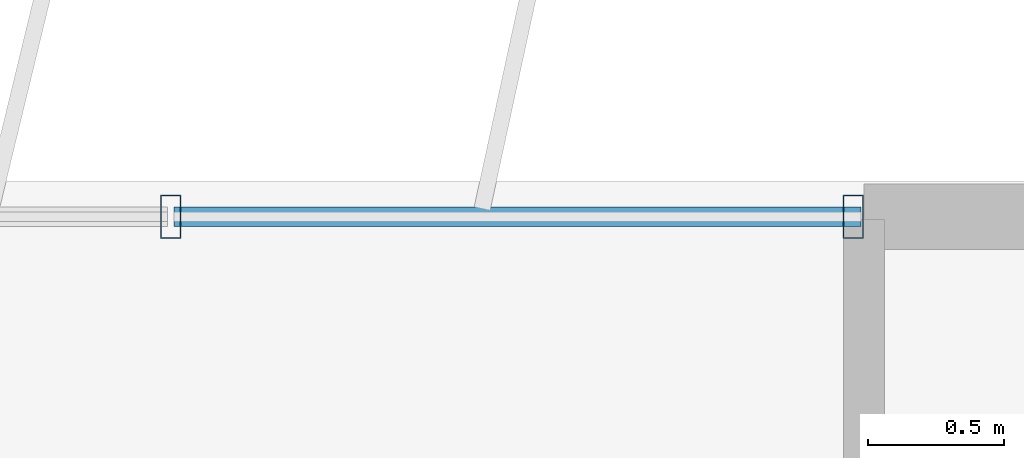
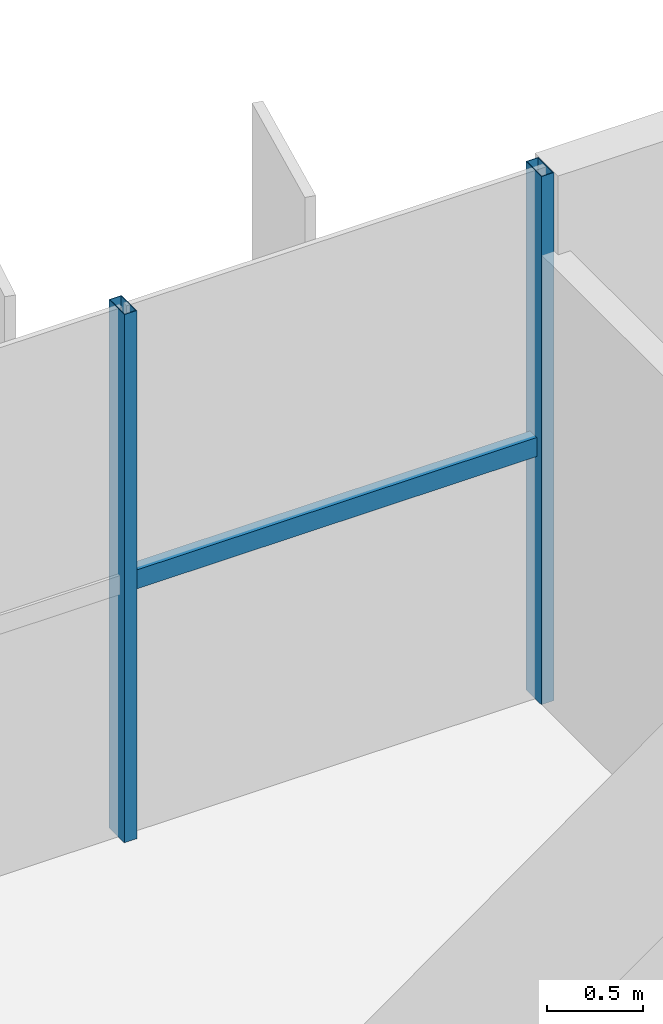
# One storey, part 12 of 20: 3 members, 1 element without a shape of its own.
"""IFC4 building model written with IfcOpenShell, lengths in metres."""

from ifc_helpers import new_model, si_unit, direction, frame, origin, origin_2d, place, context, subcontext, project, spatial, hollow_rectangle, extrude, source, transform, mapped, material, material_profile, profile_set, type_object, element, aggregate, save


model = new_model("IFC4")

# Units and contexts
model_context = context("Model", 3, precision=1e-05, world=origin(), true_north=direction((0.0, 1.0)))
body_context = subcontext(model_context, "Body", "Model", "MODEL_VIEW")
ifc_project = project(units=[si_unit("LENGTHUNIT", "METRE"), si_unit("AREAUNIT", "SQUARE_METRE"), si_unit("VOLUMEUNIT", "CUBIC_METRE"), si_unit("PLANEANGLEUNIT", "RADIAN"), si_unit("MASSUNIT", "GRAM", prefix="KILO")], contexts=[model_context])

# Site, building, storey
site_placement = place(None, origin())
site = spatial("IfcSite", under=ifc_project, at=site_placement, CompositionType="ELEMENT")
building_placement = place(site_placement, origin())
building = spatial("IfcBuilding", under=site, at=building_placement, Name="Trelvane Seafront Commons", CompositionType="ELEMENT")
storey_placement = place(building_placement, frame((0.0, 0.0, 164.5)))
storey = spatial("IfcBuildingStorey", under=building, at=storey_placement, Name="L43", CompositionType="ELEMENT", Elevation=164.5)

# Curtain wall, members
ifc_material = material(Name="Anodised pale-silver aluminium", Category="aluminium")
curtain_wall_type = type_object("IfcCurtainWallType", Name="ARCH-CW5-UPTOWER", PredefinedType="NOTDEFINED", material=ifc_material)
curtain_wall_placement = place(storey_placement, origin())
curtain_wall = element("IfcCurtainWall", 1, at=curtain_wall_placement, inside=storey, type_object=curtain_wall_type, Name="CW-L43-0070", PredefinedType="NOTDEFINED")
ifc_material_profile_1 = material_profile(ifc_material, hollow_rectangle(XDim=0.070068359375, YDim=0.1201171875, WallThickness=0.00390625, at=origin_2d()), Name="TRAN-70x120x4")
ifc_profile_set_1 = profile_set([ifc_material_profile_1], Name="Anodised pale-silver aluminium")
member_type_1 = type_object("IfcMemberType", Name="ARCH-CW-TRAN-120", PredefinedType="USERDEFINED", material=ifc_profile_set_1)
shared_shape_1 = source(origin(), body_context, "Body", "SweptSolid", [
    extrude(hollow_rectangle(XDim=0.070068359375, YDim=0.1201171875, WallThickness=0.00390625, at=origin_2d()), origin(), (0.0, 0.0, 1.0), 2.517333984375),
])
member_1_placement = place(storey_placement, frame((56.270751953125, 48.3701171875, 1.60791015625), z_axis=(1.0, 0.0, 0.0), x_axis=(0.0, 1.0, 0.0)))
member_1 = element("IfcMember", 2, at=member_1_placement, type_object=member_type_1, Name="CW-L43-0070-T16", ObjectType="TRANSOM", PredefinedType="USERDEFINED", context=body_context, shape_type="MappedRepresentation", body=[
    mapped(shared_shape_1, transform((0.0, 0.0, 0.0), x_axis=(1.0, 0.0, 0.0), y_axis=(0.0, 1.0, 0.0), z_axis=(0.0, 0.0, 1.0), scale=1.0)),
])
ifc_material_profile_2 = material_profile(ifc_material, hollow_rectangle(XDim=0.074951171875, YDim=0.159912109375, WallThickness=0.00390625, at=origin_2d()), Name="MULL-75x160x4")
ifc_profile_set_2 = profile_set([ifc_material_profile_2], Name="Anodised pale-silver aluminium")
member_type_2 = type_object("IfcMemberType", Name="ARCH-CW-MULL-160", PredefinedType="MULLION", material=ifc_profile_set_2)
shared_shape_2 = source(origin(), body_context, "Body", "SweptSolid", [
    extrude(hollow_rectangle(XDim=0.074951171875, YDim=0.159912109375, WallThickness=0.00390625, at=origin_2d()), origin(), (0.0, 0.0, 1.0), 3.35009765625),
])
member_2_placement = place(storey_placement, frame((56.2587890625, 48.3701171875, 0.0), z_axis=(0.0, 0.0, 1.0), x_axis=(1.0, 0.0, 0.0)))
member_2 = element("IfcMember", 3, at=member_2_placement, type_object=member_type_2, Name="CW-L43-0070-M16", PredefinedType="MULLION", context=body_context, shape_type="MappedRepresentation", body=[
    mapped(shared_shape_2, transform((0.0, 0.0, 0.0), x_axis=(1.0, 0.0, 0.0), y_axis=(0.0, 1.0, 0.0), z_axis=(0.0, 0.0, 1.0), scale=1.0)),
])
member_3_placement = place(storey_placement, frame((58.760009765625, 48.3701171875, 0.0), z_axis=(0.0, 0.0, 1.0), x_axis=(1.0, 0.0, 0.0)))
member_3 = element("IfcMember", 4, at=member_3_placement, type_object=member_type_2, Name="CW-L43-0070-M17", PredefinedType="MULLION", context=body_context, shape_type="MappedRepresentation", body=[
    mapped(shared_shape_2, transform((0.0, 0.0, 0.0), x_axis=(1.0, 0.0, 0.0), y_axis=(0.0, 1.0, 0.0), z_axis=(0.0, 0.0, 1.0), scale=1.0)),
])
aggregate(curtain_wall, [member_2, member_3, member_1])

save(model, "model.ifc")
